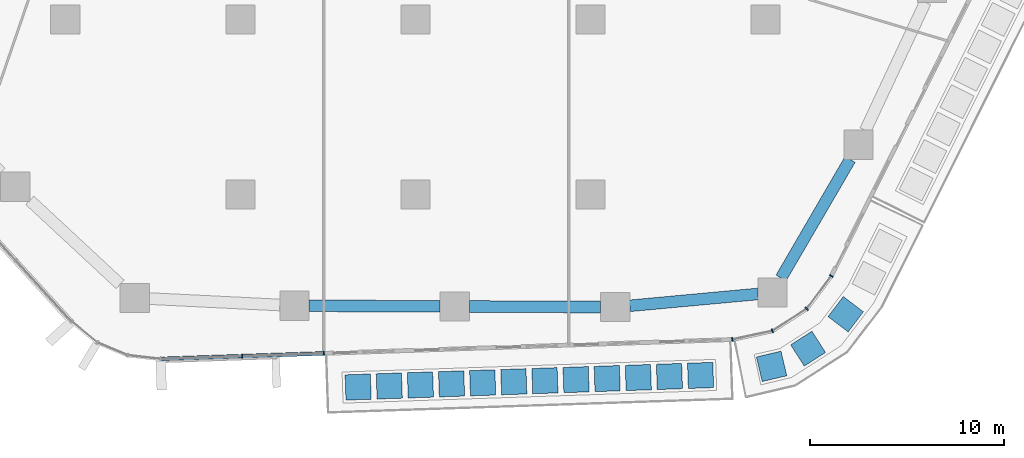
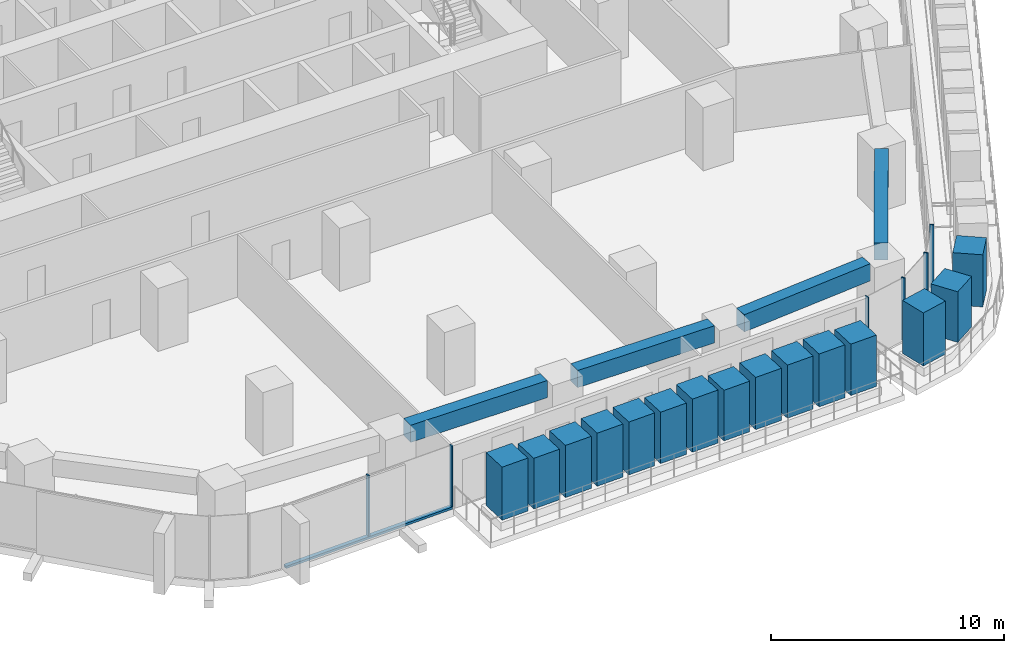
# One storey, part 4 of 26: 22 members, 4 beams, 2 elements without a shape of their own.
"""IFC4 building model written with IfcOpenShell, lengths in metres."""

from ifc_helpers import new_model, si_unit, direction, frame, origin, origin_2d, place, context, subcontext, project, spatial, rectangle, extrude, material, layer, layer_set, material_profile, profile_set, type_object, element, aggregate, save


model = new_model("IFC4")

# Units and contexts
model_context = context("Model", 3, precision=1e-05, world=origin(), true_north=direction((0.0, 1.0)))
body_context = subcontext(model_context, "Body", "Model", "MODEL_VIEW")
ifc_project = project(units=[si_unit("LENGTHUNIT", "METRE"), si_unit("AREAUNIT", "SQUARE_METRE"), si_unit("VOLUMEUNIT", "CUBIC_METRE"), si_unit("PLANEANGLEUNIT", "RADIAN"), si_unit("MASSUNIT", "GRAM", prefix="KILO")], contexts=[model_context])

# Site, building, storey
site_placement = place(None, origin())
site = spatial("IfcSite", under=ifc_project, at=site_placement, CompositionType="ELEMENT")
building_placement = place(site_placement, origin())
building = spatial("IfcBuilding", under=site, at=building_placement, Name="Dongbaek Canopy Tower", CompositionType="ELEMENT")
storey_placement = place(building_placement, frame((0.0, 0.0, 69.89990234375)))
storey = spatial("IfcBuildingStorey", under=building, at=storey_placement, Name="L13", CompositionType="ELEMENT", Elevation=69.89990234375)

# Curtain wall, members
ifc_material_1 = material(Name="Aluminium 6063-T6 pale anodised", Category="aluminium")
ifc_layer = layer(ifc_material_1, 0.199951171875)
ifc_layer_set = layer_set([ifc_layer], Name="CW-1 unitised tower curtain wall")
curtain_wall_type = type_object("IfcCurtainWallType", Name="CW-1 unitised tower curtain wall", PredefinedType="NOTDEFINED", material=ifc_layer_set)
curtain_wall_1_placement = place(storey_placement, origin())
curtain_wall_1 = element("IfcCurtainWall", 1, at=curtain_wall_1_placement, inside=storey, type_object=curtain_wall_type, Name="CW-1 curtain wall F4.1", PredefinedType="NOTDEFINED")
ifc_material_2 = material(Name="Aluminium 6063-T6 pale anodised", Category="aluminium")
ifc_material_profile_1 = material_profile(ifc_material_2, rectangle(XDim=0.199951171875, YDim=0.06005859375, at=origin_2d()), Name="CW-1 mullion 60 x 200")
ifc_profile_set_1 = profile_set([ifc_material_profile_1], Name="Aluminium 6063-T6 pale anodised")
member_type_1 = type_object("IfcMemberType", Name="CW-1 mullion 60 x 200", PredefinedType="MULLION", material=ifc_profile_set_1)
member_1_placement = place(storey_placement, frame((-8.904052734375, -35.310302734375, 0.1201171875), z_axis=(0.0, 0.0, 1.0), x_axis=(0.033932734012, -0.999424118962, 0.0)))
member_1 = element("IfcMember", 2, at=member_1_placement, type_object=member_type_1, Name="CW-1 mullion F4.1.2", PredefinedType="MULLION", context=body_context, shape_type="SweptSolid", body=[
    extrude(rectangle(XDim=0.199951171875, YDim=0.06005859375, at=origin_2d()), origin(), (0.0, 0.0, 1.0), 3.179931640625),
])
member_2_placement = place(storey_placement, frame((-4.702392578125, -35.167724609375, 0.1201171875), z_axis=(0.0, 0.0, 1.0), x_axis=(0.033932734012, -0.999424118962, 0.0)))
member_2 = element("IfcMember", 3, at=member_2_placement, type_object=member_type_1, Name="CW-1 mullion F4.1.3", PredefinedType="MULLION", context=body_context, shape_type="SweptSolid", body=[
    extrude(rectangle(XDim=0.199951171875, YDim=0.06005859375, at=origin_2d()), origin(), (0.0, 0.0, 1.0), 3.179931640625),
])

curtain_wall_2_placement = place(storey_placement, origin())
curtain_wall_2 = element("IfcCurtainWall", 4, at=curtain_wall_2_placement, inside=storey, type_object=curtain_wall_type, Name="CW-1 curtain wall K5.1", PredefinedType="NOTDEFINED")
member_3_placement = place(storey_placement, frame((16.297119140625, -34.454833984375, 0.0), z_axis=(0.0, 0.0, 1.0), x_axis=(0.211349311905, -0.977410593537, 0.0)))
member_3 = element("IfcMember", 5, at=member_3_placement, type_object=member_type_1, Name="CW-1 mullion K5.1.1", PredefinedType="MULLION", context=body_context, shape_type="SweptSolid", body=[
    extrude(rectangle(XDim=0.199951171875, YDim=0.06005859375, at=origin_2d()), origin(), (0.0, 0.0, 1.0), 3.300048828125),
])
member_4_placement = place(storey_placement, frame((18.359130859375, -34.0087890625, 0.0), z_axis=(0.0, 0.0, 1.0), x_axis=(0.382010904246, -0.924157816088, 0.0)))
member_4 = element("IfcMember", 6, at=member_4_placement, type_object=member_type_1, Name="CW-1 mullion K5.1.2", PredefinedType="MULLION", context=body_context, shape_type="SweptSolid", body=[
    extrude(rectangle(XDim=0.199951171875, YDim=0.06005859375, at=origin_2d()), origin(), (0.0, 0.0, 1.0), 3.300048828125),
])
member_5_placement = place(storey_placement, frame((20.12646484375, -32.87353515625, 0.0), z_axis=(0.0, 0.0, 1.0), x_axis=(0.681641141711, -0.731686650095, 0.0)))
member_5 = element("IfcMember", 7, at=member_5_placement, type_object=member_type_1, Name="CW-1 mullion K5.1.3", PredefinedType="MULLION", context=body_context, shape_type="SweptSolid", body=[
    extrude(rectangle(XDim=0.199951171875, YDim=0.06005859375, at=origin_2d()), origin(), (0.0, 0.0, 1.0), 3.300048828125),
])
member_6_placement = place(storey_placement, frame((21.389404296875, -31.18359375, 0.0), z_axis=(0.0, 0.0, 1.0), x_axis=(0.801033233665, -0.59861987819, 0.0)))
member_6 = element("IfcMember", 8, at=member_6_placement, type_object=member_type_1, Name="CW-1 mullion K5.1.4", PredefinedType="MULLION", context=body_context, shape_type="SweptSolid", body=[
    extrude(rectangle(XDim=0.199951171875, YDim=0.06005859375, at=origin_2d()), origin(), (0.0, 0.0, 1.0), 3.300048828125),
])
aggregate(curtain_wall_2, [member_3, member_4, member_5, member_6])

# Member
ifc_material_3 = material(Name="Aluminium 6063-T6 pale anodised", Category="aluminium")
ifc_material_profile_2 = material_profile(ifc_material_3, rectangle(XDim=0.199951171875, YDim=0.1201171875, at=origin_2d()), Name="CW-1 transom 120 x 200")
ifc_profile_set_2 = profile_set([ifc_material_profile_2], Name="Aluminium 6063-T6 pale anodised")
member_type_2 = type_object("IfcMemberType", Name="CW-1 transom 120 x 200", PredefinedType="USERDEFINED", material=ifc_profile_set_2)
member_7_placement = place(storey_placement, frame((-13.0986328125, -35.452880859375, 0.06005859375), z_axis=(0.999423777013, 0.033942803976, 0.0), x_axis=(-0.033942803976, 0.999423777013, 0.0)))
member_7 = element("IfcMember", 9, at=member_7_placement, type_object=member_type_2, Name="CW-1 transom F4.1.1", ObjectType="TRANSOM", PredefinedType="USERDEFINED", context=body_context, shape_type="SweptSolid", body=[
    extrude(rectangle(XDim=0.199951171875, YDim=0.1201171875, at=origin_2d()), origin(), (0.0, 0.0, 1.0), 8.401123046875),
])

aggregate(curtain_wall_1, [member_1, member_2, member_7])

# Beams
ifc_material_4 = material(Name="Concrete C80", Category="concrete")
ifc_material_profile_3 = material_profile(ifc_material_4, rectangle(XDim=0.60009765625, YDim=0.89990234375, at=origin_2d()), Name="RC EDGE BEAM 600x900 C80")
ifc_profile_set_3 = profile_set([ifc_material_profile_3], Name="Concrete C80")
beam_type = type_object("IfcBeamType", Name="RC EDGE BEAM 600x900 C80", PredefinedType="BEAM", material=ifc_profile_set_3)
beam_1_placement = place(storey_placement, frame((17.617919921875, -32.1123046875, 2.85009765625), z_axis=(-0.995766471257, -0.091919174929, 0.0), x_axis=(0.091919174929, -0.995766471257, 0.0)))
element("IfcBeam", 10, at=beam_1_placement, inside=storey, type_object=beam_type, Name="EDGEBEAM:L13:00", PredefinedType="BEAM", context=body_context, shape_type="SweptSolid", body=[
    extrude(rectangle(XDim=0.60009765625, YDim=0.89990234375, at=origin_2d()), origin(), (0.0, 0.0, 1.0), 6.618896484375),
])
beam_2_placement = place(storey_placement, frame((9.527099609375, -32.78662109375, 2.85009765625), z_axis=(-0.999989942747, 0.004484908597, 0.0), x_axis=(-0.004484908597, -0.999989942747, 0.0)))
element("IfcBeam", 11, at=beam_2_placement, inside=storey, type_object=beam_type, Name="EDGEBEAM:L13:01", PredefinedType="BEAM", context=body_context, shape_type="SweptSolid", body=[
    extrude(rectangle(XDim=0.60009765625, YDim=0.89990234375, at=origin_2d()), origin(), (0.0, 0.0, 1.0), 6.75),
])
beam_3_placement = place(storey_placement, frame((1.277099609375, -32.749755859375, 2.85009765625), z_axis=(-0.999990420723, 0.004377038088, 0.0), x_axis=(-0.004377038088, -0.999990420723, 0.0)))
element("IfcBeam", 12, at=beam_3_placement, inside=storey, type_object=beam_type, Name="EDGEBEAM:L13:02", PredefinedType="BEAM", context=body_context, shape_type="SweptSolid", body=[
    extrude(rectangle(XDim=0.60009765625, YDim=0.89990234375, at=origin_2d()), origin(), (0.0, 0.0, 1.0), 6.7490234375),
])
beam_4_placement = place(storey_placement, frame((22.35546875, -25.193115234375, 2.85009765625), z_axis=(-0.503081510817, -0.864238967806, 0.0), x_axis=(0.864238967806, -0.503081510817, 0.0)))
element("IfcBeam", 13, at=beam_4_placement, inside=storey, type_object=beam_type, Name="EDGEBEAM:L13:25", PredefinedType="BEAM", context=body_context, shape_type="SweptSolid", body=[
    extrude(rectangle(XDim=0.60009765625, YDim=0.89990234375, at=origin_2d()), origin(), (0.0, 0.0, 1.0), 7.05810546875),
])

# Members
ifc_material_5 = material(Name="Concrete C40/50 planter mass with planting", Category="concrete")
ifc_material_profile_4 = material_profile(ifc_material_5, rectangle(XDim=1.300048828125, YDim=1.300048828125, at=origin_2d()), Name="Terrace PLANTER shrub mass 1300 x 1300")
ifc_profile_set_4 = profile_set([ifc_material_profile_4], Name="Concrete C40/50 planter mass with planting")
member_type_3 = type_object("IfcMemberType", Name="Terrace PLANTER shrub mass 1300 x 1300", PredefinedType="USERDEFINED", material=ifc_profile_set_4)
member_8_placement = place(storey_placement, frame((-2.941650390625, -36.89892578125, 0.420166015625), z_axis=(0.0, 0.0, 1.0), x_axis=(0.033932734012, -0.999424118962, 0.0)))
element("IfcMember", 14, at=member_8_placement, inside=storey, type_object=member_type_3, Name="Planter shrubs L13 4.1", ObjectType="PLANTER", PredefinedType="USERDEFINED", context=body_context, shape_type="SweptSolid", body=[
    extrude(rectangle(XDim=1.300048828125, YDim=1.300048828125, at=origin_2d()), origin(), (0.0, 0.0, 1.0), 2.780029296875),
])
member_9_placement = place(storey_placement, frame((-1.341064453125, -36.8447265625, 0.420166015625), z_axis=(0.0, 0.0, 1.0), x_axis=(0.033932734012, -0.999424118962, 0.0)))
element("IfcMember", 15, at=member_9_placement, inside=storey, type_object=member_type_3, Name="Planter shrubs L13 4.2", ObjectType="PLANTER", PredefinedType="USERDEFINED", context=body_context, shape_type="SweptSolid", body=[
    extrude(rectangle(XDim=1.300048828125, YDim=1.300048828125, at=origin_2d()), origin(), (0.0, 0.0, 1.0), 2.64990234375),
])
member_10_placement = place(storey_placement, frame((0.259765625, -36.790283203125, 0.420166015625), z_axis=(0.0, 0.0, 1.0), x_axis=(0.033932734012, -0.999424118962, 0.0)))
element("IfcMember", 16, at=member_10_placement, inside=storey, type_object=member_type_3, Name="Planter shrubs L13 4.3", ObjectType="PLANTER", PredefinedType="USERDEFINED", context=body_context, shape_type="SweptSolid", body=[
    extrude(rectangle(XDim=1.300048828125, YDim=1.300048828125, at=origin_2d()), origin(), (0.0, 0.0, 1.0), 2.72998046875),
])
member_11_placement = place(storey_placement, frame((1.860595703125, -36.73583984375, 0.420166015625), z_axis=(0.0, 0.0, 1.0), x_axis=(0.033932734012, -0.999424118962, 0.0)))
element("IfcMember", 17, at=member_11_placement, inside=storey, type_object=member_type_3, Name="Planter shrubs L13 4.4", ObjectType="PLANTER", PredefinedType="USERDEFINED", context=body_context, shape_type="SweptSolid", body=[
    extrude(rectangle(XDim=1.300048828125, YDim=1.300048828125, at=origin_2d()), origin(), (0.0, 0.0, 1.0), 2.780029296875),
])
member_12_placement = place(storey_placement, frame((3.46142578125, -36.681640625, 0.420166015625), z_axis=(0.0, 0.0, 1.0), x_axis=(0.033932734012, -0.999424118962, 0.0)))
element("IfcMember", 18, at=member_12_placement, inside=storey, type_object=member_type_3, Name="Planter shrubs L13 4.5", ObjectType="PLANTER", PredefinedType="USERDEFINED", context=body_context, shape_type="SweptSolid", body=[
    extrude(rectangle(XDim=1.300048828125, YDim=1.300048828125, at=origin_2d()), origin(), (0.0, 0.0, 1.0), 2.77001953125),
])
member_13_placement = place(storey_placement, frame((5.062255859375, -36.627197265625, 0.420166015625), z_axis=(0.0, 0.0, 1.0), x_axis=(0.033932734012, -0.999424118962, 0.0)))
element("IfcMember", 19, at=member_13_placement, inside=storey, type_object=member_type_3, Name="Planter shrubs L13 4.6", ObjectType="PLANTER", PredefinedType="USERDEFINED", context=body_context, shape_type="SweptSolid", body=[
    extrude(rectangle(XDim=1.300048828125, YDim=1.300048828125, at=origin_2d()), origin(), (0.0, 0.0, 1.0), 2.68994140625),
])
member_14_placement = place(storey_placement, frame((6.6630859375, -36.572998046875, 0.420166015625), z_axis=(0.0, 0.0, 1.0), x_axis=(0.033932734012, -0.999424118962, 0.0)))
element("IfcMember", 20, at=member_14_placement, inside=storey, type_object=member_type_3, Name="Planter shrubs L13 4.7", ObjectType="PLANTER", PredefinedType="USERDEFINED", context=body_context, shape_type="SweptSolid", body=[
    extrude(rectangle(XDim=1.300048828125, YDim=1.300048828125, at=origin_2d()), origin(), (0.0, 0.0, 1.0), 2.780029296875),
])
member_15_placement = place(storey_placement, frame((8.263916015625, -36.5185546875, 0.420166015625), z_axis=(0.0, 0.0, 1.0), x_axis=(0.033932734012, -0.999424118962, 0.0)))
element("IfcMember", 21, at=member_15_placement, inside=storey, type_object=member_type_3, Name="Planter shrubs L13 4.8", ObjectType="PLANTER", PredefinedType="USERDEFINED", context=body_context, shape_type="SweptSolid", body=[
    extrude(rectangle(XDim=1.300048828125, YDim=1.300048828125, at=origin_2d()), origin(), (0.0, 0.0, 1.0), 2.64990234375),
])
member_16_placement = place(storey_placement, frame((9.864501953125, -36.464111328125, 0.420166015625), z_axis=(0.0, 0.0, 1.0), x_axis=(0.033932734012, -0.999424118962, 0.0)))
element("IfcMember", 22, at=member_16_placement, inside=storey, type_object=member_type_3, Name="Planter shrubs L13 4.9", ObjectType="PLANTER", PredefinedType="USERDEFINED", context=body_context, shape_type="SweptSolid", body=[
    extrude(rectangle(XDim=1.300048828125, YDim=1.300048828125, at=origin_2d()), origin(), (0.0, 0.0, 1.0), 2.72998046875),
])
member_17_placement = place(storey_placement, frame((11.46533203125, -36.409912109375, 0.420166015625), z_axis=(0.0, 0.0, 1.0), x_axis=(0.033932734012, -0.999424118962, 0.0)))
element("IfcMember", 23, at=member_17_placement, inside=storey, type_object=member_type_3, Name="Planter shrubs L13 4.10", ObjectType="PLANTER", PredefinedType="USERDEFINED", context=body_context, shape_type="SweptSolid", body=[
    extrude(rectangle(XDim=1.300048828125, YDim=1.300048828125, at=origin_2d()), origin(), (0.0, 0.0, 1.0), 2.780029296875),
])
member_18_placement = place(storey_placement, frame((13.066162109375, -36.35546875, 0.420166015625), z_axis=(0.0, 0.0, 1.0), x_axis=(0.033932734012, -0.999424118962, 0.0)))
element("IfcMember", 24, at=member_18_placement, inside=storey, type_object=member_type_3, Name="Planter shrubs L13 4.11", ObjectType="PLANTER", PredefinedType="USERDEFINED", context=body_context, shape_type="SweptSolid", body=[
    extrude(rectangle(XDim=1.300048828125, YDim=1.300048828125, at=origin_2d()), origin(), (0.0, 0.0, 1.0), 2.77001953125),
])
member_19_placement = place(storey_placement, frame((14.6669921875, -36.301025390625, 0.420166015625), z_axis=(0.0, 0.0, 1.0), x_axis=(0.033932734012, -0.999424118962, 0.0)))
element("IfcMember", 25, at=member_19_placement, inside=storey, type_object=member_type_3, Name="Planter shrubs L13 4.12", ObjectType="PLANTER", PredefinedType="USERDEFINED", context=body_context, shape_type="SweptSolid", body=[
    extrude(rectangle(XDim=1.300048828125, YDim=1.300048828125, at=origin_2d()), origin(), (0.0, 0.0, 1.0), 2.68994140625),
])
member_20_placement = place(storey_placement, frame((18.3193359375, -35.8349609375, 0.420166015625), z_axis=(0.0, 0.0, 1.0), x_axis=(0.229055651776, -0.973413328648, 0.0)))
element("IfcMember", 26, at=member_20_placement, inside=storey, type_object=member_type_3, Name="Planter shrubs L13 8.1", ObjectType="PLANTER", PredefinedType="USERDEFINED", context=body_context, shape_type="SweptSolid", body=[
    extrude(rectangle(XDim=1.300048828125, YDim=1.300048828125, at=origin_2d()), origin(), (0.0, 0.0, 1.0), 2.780029296875),
])
member_21_placement = place(storey_placement, frame((20.195556640625, -34.924560546875, 0.420166015625), z_axis=(0.0, 0.0, 1.0), x_axis=(0.540462955385, -0.841367811279, 0.0)))
element("IfcMember", 27, at=member_21_placement, inside=storey, type_object=member_type_3, Name="Planter shrubs L13 8.2", ObjectType="PLANTER", PredefinedType="USERDEFINED", context=body_context, shape_type="SweptSolid", body=[
    extrude(rectangle(XDim=1.300048828125, YDim=1.300048828125, at=origin_2d()), origin(), (0.0, 0.0, 1.0), 2.64990234375),
])
member_22_placement = place(storey_placement, frame((22.130615234375, -33.15380859375, 0.420166015625), z_axis=(0.0, 0.0, 1.0), x_axis=(0.796328134047, -0.604864863359, 0.0)))
element("IfcMember", 28, at=member_22_placement, inside=storey, type_object=member_type_3, Name="Planter shrubs L13 8.3", ObjectType="PLANTER", PredefinedType="USERDEFINED", context=body_context, shape_type="SweptSolid", body=[
    extrude(rectangle(XDim=1.300048828125, YDim=1.300048828125, at=origin_2d()), origin(), (0.0, 0.0, 1.0), 2.72998046875),
])

save(model, "model.ifc")
